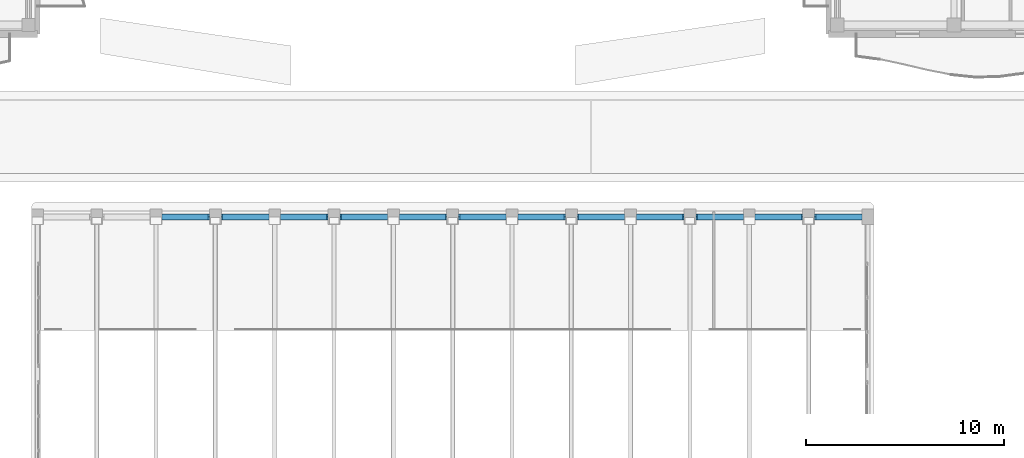
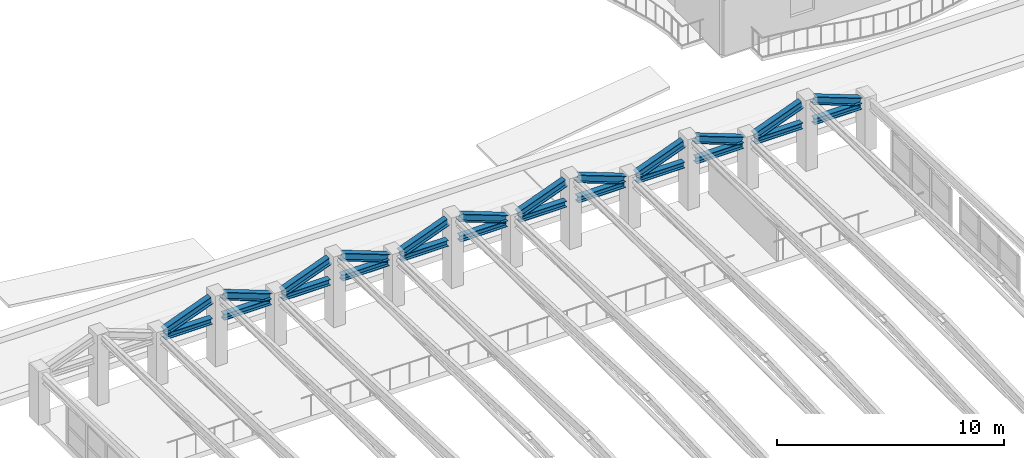
# One storey, part 37 of 128: 24 beams.
"""IFC4 building model written with IfcOpenShell, lengths in metres."""

from ifc_helpers import new_model, si_unit, direction, frame, origin, origin_2d, place, context, subcontext, project, spatial, i_section, extrude, material, material_profile, profile_set, type_object, element, save


model = new_model("IFC4")

# Units and contexts
model_context = context("Model", 3, precision=1e-05, world=origin(), true_north=direction((0.0, 1.0)))
body_context = subcontext(model_context, "Body", "Model", "MODEL_VIEW")
ifc_project = project(units=[si_unit("LENGTHUNIT", "METRE"), si_unit("AREAUNIT", "SQUARE_METRE"), si_unit("VOLUMEUNIT", "CUBIC_METRE"), si_unit("PLANEANGLEUNIT", "RADIAN"), si_unit("MASSUNIT", "GRAM", prefix="KILO")], contexts=[model_context])

# Site, building, storey
site_placement = place(None, origin())
site = spatial("IfcSite", under=ifc_project, at=site_placement, CompositionType="ELEMENT")
building_placement = place(site_placement, origin())
building = spatial("IfcBuilding", under=site, at=building_placement, Name="Keldmere Railside Commons", CompositionType="ELEMENT")
storey_placement = place(building_placement, frame((0.0, 0.0, 4.159912109375)))
storey = spatial("IfcBuildingStorey", under=building, at=storey_placement, Name="L01", CompositionType="ELEMENT", Elevation=4.159912109375)

# Beams
ifc_material = material(Name="Steel F-36 (S355)", Category="steel")
ifc_material_profile_1 = material_profile(ifc_material, i_section(OverallWidth=0.300048828125, OverallDepth=0.320068359375, WebThickness=0.011474609375, FlangeThickness=0.0205078125, at=origin_2d()), Name="HEB-320")
ifc_profile_set_1 = profile_set([ifc_material_profile_1], Name="Steel F-36 (S355)")
beam_type_1 = type_object("IfcBeamType", Name="Folded-Plate Eave Edge Beam HEB320", PredefinedType="BEAM", material=ifc_profile_set_1)
for number, where, z_axis, x_axis, name in (
    (1, (70.300048828125, 46.75, 2.300048828125), (1.0, 0.0, 0.0), (0.0, 1.0, 0.0), "FPE-1 BM-L01-2585"),
    (2, (73.300048828125, 46.75, 2.300048828125), (1.0, 0.0, 0.0), (0.0, 1.0, 0.0), "FPE-1 BM-L01-2586"),
    (3, (76.300048828125, 46.75, 2.300048828125), (1.0, 0.0, 0.0), (0.0, 1.0, 0.0), "FPE-1 BM-L01-2597"),
    (4, (79.300048828125, 46.75, 2.300048828125), (1.0, 0.0, 0.0), (0.0, 1.0, 0.0), "FPE-1 BM-L01-2598"),
    (5, (82.300048828125, 46.75, 2.300048828125), (1.0, 0.0, 0.0), (0.0, 1.0, 0.0), "FPE-1 BM-L01-2609"),
    (6, (85.300048828125, 46.75, 2.300048828125), (1.0, 0.0, 0.0), (0.0, 1.0, 0.0), "FPE-1 BM-L01-2610"),
    (7, (88.300048828125, 46.75, 2.300048828125), (1.0, 0.0, 0.0), (0.0, 1.0, 0.0), "FPE-1 BM-L01-2621"),
    (8, (91.300048828125, 46.75, 2.300048828125), (1.0, 0.0, 0.0), (0.0, 1.0, 0.0), "FPE-1 BM-L01-2622"),
    (9, (94.300048828125, 46.75, 2.300048828125), (1.0, 0.0, 0.0), (0.0, 1.0, 0.0), "FPE-1 BM-L01-2633"),
    (10, (97.300048828125, 46.75, 2.300048828125), (1.0, 0.0, 0.0), (0.0, 1.0, 0.0), "FPE-1 BM-L01-2634"),
    (11, (100.300048828125, 46.75, 2.300048828125), (1.0, 0.0, 0.0), (0.0, 1.0, 0.0), "FPE-1 BM-L01-2645"),
    (12, (103.300048828125, 46.75, 2.300048828125), (1.0, 0.0, 0.0), (0.0, 1.0, 0.0), "FPE-1 BM-L01-2646"),
):
    element("IfcBeam", number, at=place(storey_placement, frame(where, z_axis=z_axis, x_axis=x_axis)), inside=storey, type_object=beam_type_1, Name=name, PredefinedType="BEAM", context=body_context, shape_type="SweptSolid", body=[
        extrude(i_section(OverallWidth=0.300048828125, OverallDepth=0.320068359375, WebThickness=0.011474609375, FlangeThickness=0.0205078125, at=origin_2d()), origin(), (0.0, 0.0, 1.0), 2.39990234375),
    ])
ifc_material_profile_2 = material_profile(ifc_material, i_section(OverallWidth=0.300048828125, OverallDepth=0.39990234375, WebThickness=0.013427734375, FlangeThickness=0.02392578125, at=origin_2d()), Name="HEB-400")
ifc_profile_set_2 = profile_set([ifc_material_profile_2], Name="Steel F-36 (S355)")
beam_type_2 = type_object("IfcBeamType", Name="Folded-Plate End Diaphragm Girder HEB400", PredefinedType="BEAM", material=ifc_profile_set_2)
for number, where, z_axis, x_axis, name in (
    (13, (70.300048828125, 46.75, 2.530029296875), (0.935017102345, 0.0, 0.354602620299), (0.0, 1.0, 0.0), "FPD-1 BM-L01-2591"),
    (14, (73.300048828125, 46.75, 3.440185546875), (0.935017102345, 0.0, -0.354602620299), (0.0, 1.0, 0.0), "FPD-1 BM-L01-2592"),
    (15, (76.300048828125, 46.75, 2.530029296875), (0.935017102345, 0.0, 0.354602620299), (0.0, 1.0, 0.0), "FPD-1 BM-L01-2603"),
    (16, (79.300048828125, 46.75, 3.440185546875), (0.935017102345, 0.0, -0.354602620299), (0.0, 1.0, 0.0), "FPD-1 BM-L01-2604"),
    (17, (82.300048828125, 46.75, 2.530029296875), (0.935017102345, 0.0, 0.354602620299), (0.0, 1.0, 0.0), "FPD-1 BM-L01-2615"),
    (18, (85.300048828125, 46.75, 3.440185546875), (0.935017102345, 0.0, -0.354602620299), (0.0, 1.0, 0.0), "FPD-1 BM-L01-2616"),
    (19, (88.300048828125, 46.75, 2.530029296875), (0.935017102345, 0.0, 0.354602620299), (0.0, 1.0, 0.0), "FPD-1 BM-L01-2627"),
    (20, (91.300048828125, 46.75, 3.440185546875), (0.935017102345, 0.0, -0.354602620299), (0.0, 1.0, 0.0), "FPD-1 BM-L01-2628"),
    (21, (94.300048828125, 46.75, 2.530029296875), (0.935017102345, 0.0, 0.354602620299), (0.0, 1.0, 0.0), "FPD-1 BM-L01-2639"),
    (22, (97.300048828125, 46.75, 3.440185546875), (0.935017102345, 0.0, -0.354602620299), (0.0, 1.0, 0.0), "FPD-1 BM-L01-2640"),
    (23, (100.300048828125, 46.75, 2.530029296875), (0.935017102345, 0.0, 0.354602620299), (0.0, 1.0, 0.0), "FPD-1 BM-L01-2651"),
    (24, (103.300048828125, 46.75, 3.440185546875), (0.935017102345, 0.0, -0.354602620299), (0.0, 1.0, 0.0), "FPD-1 BM-L01-2652"),
):
    element("IfcBeam", number, at=place(storey_placement, frame(where, z_axis=z_axis, x_axis=x_axis)), inside=storey, type_object=beam_type_2, Name=name, PredefinedType="BEAM", context=body_context, shape_type="SweptSolid", body=[
        extrude(i_section(OverallWidth=0.300048828125, OverallDepth=0.39990234375, WebThickness=0.013427734375, FlangeThickness=0.02392578125, at=origin_2d()), origin(), (0.0, 0.0, 1.0), 2.566650390625),
    ])

save(model, "model.ifc")
